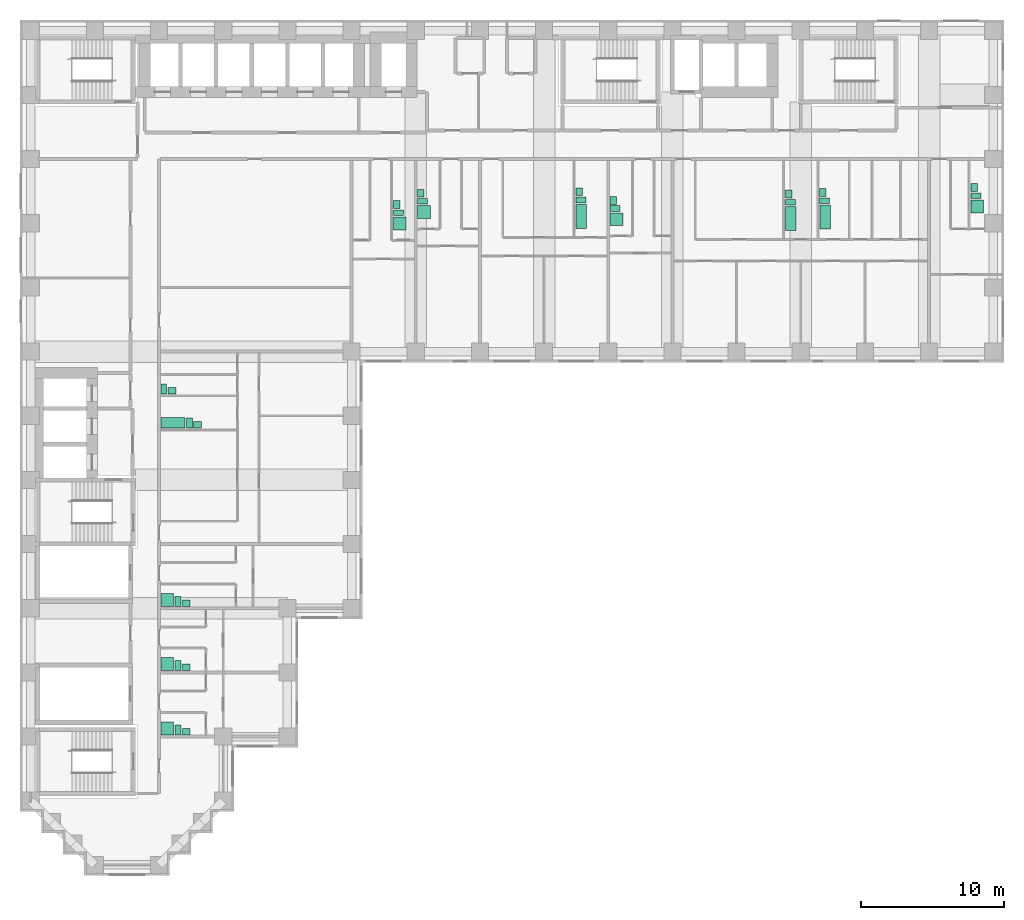
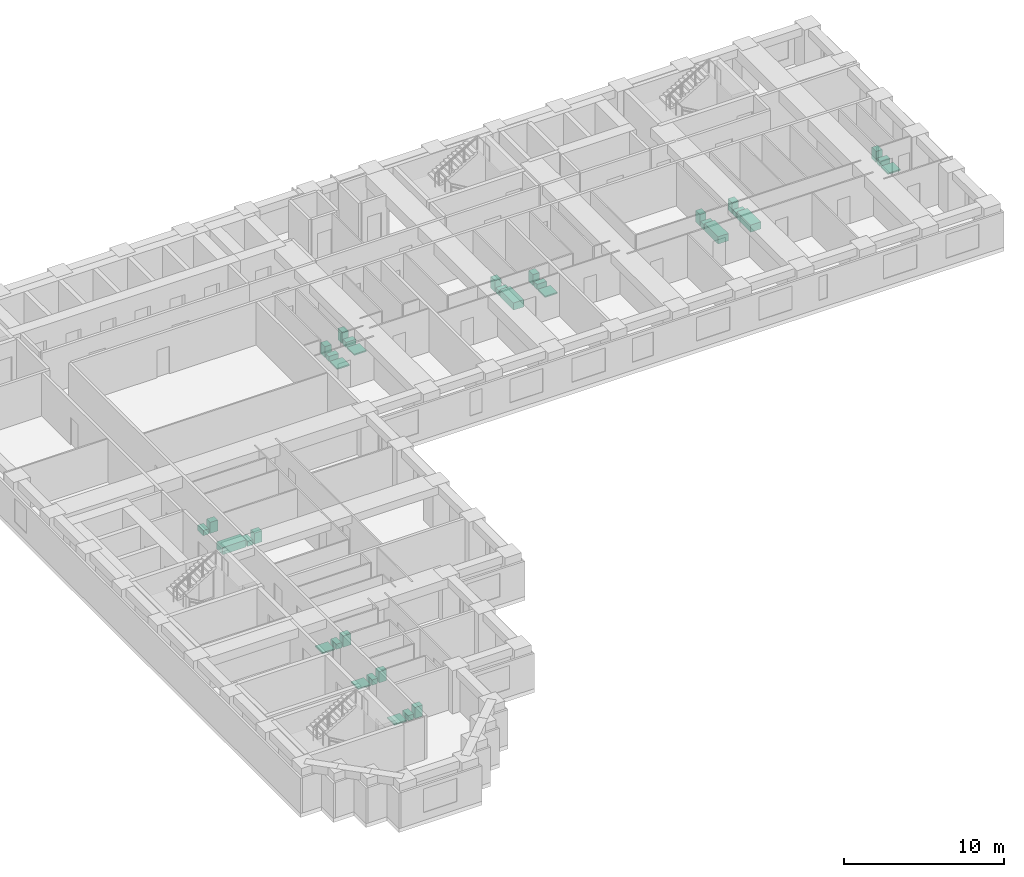
# One storey, part 12 of 12: 35 sanitary terminals.
"""IFC4 building model written with IfcOpenShell, lengths in metres."""

from ifc_helpers import new_model, si_unit, direction, frame, origin, origin_2d, place, context, subcontext, project, spatial, rectangle, extrude, material, type_object, element, save


model = new_model("IFC4")

# Units and contexts
model_context = context("Model", 3, precision=1e-05, world=origin(), true_north=direction((0.0, 1.0)))
body_context = subcontext(model_context, "Body", "Model", "MODEL_VIEW")
ifc_project = project(units=[si_unit("LENGTHUNIT", "METRE"), si_unit("AREAUNIT", "SQUARE_METRE"), si_unit("VOLUMEUNIT", "CUBIC_METRE"), si_unit("PLANEANGLEUNIT", "RADIAN"), si_unit("MASSUNIT", "GRAM", prefix="KILO")], contexts=[model_context])

# Site, building, storey
site_placement = place(None, origin())
site = spatial("IfcSite", under=ifc_project, at=site_placement, CompositionType="ELEMENT")
building_placement = place(site_placement, origin())
building = spatial("IfcBuilding", under=site, at=building_placement, Name="Firuza Court", CompositionType="ELEMENT")
storey_placement = place(building_placement, frame((0.0, 0.0, 39.800048828125)))
storey = spatial("IfcBuildingStorey", under=building, at=storey_placement, Name="L08", CompositionType="ELEMENT", Elevation=39.800048828125)

# Sanitary terminals
ifc_material_1 = material(Name="Vitreous china", Category="ceramic")
sanitary_terminal_type_1 = type_object("IfcSanitaryTerminalType", Name="Fixture Bath", PredefinedType="BATH", material=ifc_material_1)
for number, where, z_axis, x_axis, name in (
    (1, (38.60498046875, 45.47998046875, 0.0), (0.0, 0.0, 1.0), (1.0, 0.0, 0.0), "Bath"),
    (2, (53.304931640625, 45.330078125, 0.0), (0.0, 0.0, 1.0), (1.0, 0.0, 0.0), "Bath"),
    (3, (55.705078125, 45.429931640625, 0.0), (0.0, 0.0, 1.0), (1.0, 0.0, 0.0), "Bath"),
):
    element("IfcSanitaryTerminal", number, at=place(storey_placement, frame(where, z_axis=z_axis, x_axis=x_axis)), inside=storey, type_object=sanitary_terminal_type_1, Name=name, PredefinedType="BATH", context=body_context, shape_type="SweptSolid", body=[
        extrude(rectangle(XDim=0.75, YDim=1.699951171875, at=origin_2d()), origin(), (0.0, 0.0, 1.0), 0.550048828125),
    ])
sanitary_terminal_placement = place(storey_placement, frame((9.97998046875, 31.0048828125, 0.0), z_axis=(0.0, 0.0, 1.0), x_axis=(1.0, 0.0, 0.0)))
element("IfcSanitaryTerminal", 4, at=sanitary_terminal_placement, inside=storey, type_object=sanitary_terminal_type_1, Name="Bath", PredefinedType="BATH", context=body_context, shape_type="SweptSolid", body=[
    extrude(rectangle(XDim=1.699951171875, YDim=0.75, at=origin_2d()), origin(), (0.0, 0.0, 1.0), 0.550048828125),
])
ifc_material_2 = material(Name="Vitreous china", Category="ceramic")
sanitary_terminal_type_2 = type_object("IfcSanitaryTerminalType", Name="Fixture Shower tray", PredefinedType="SHOWER", material=ifc_material_2)
for number, where, z_axis, x_axis, name in (
    (5, (25.8798828125, 44.97998046875, 0.0), (0.0, 0.0, 1.0), (1.0, 0.0, 0.0), "Shower tray"),
    (6, (27.580078125, 45.780029296875, 0.0), (0.0, 0.0, 1.0), (1.0, 0.0, 0.0), "Shower tray"),
    (7, (41.080078125, 45.280029296875, 0.0), (0.0, 0.0, 1.0), (1.0, 0.0, 0.0), "Shower tray"),
    (8, (66.3798828125, 46.179931640625, 0.0), (0.0, 0.0, 1.0), (1.0, 0.0, 0.0), "Shower tray"),
    (9, (9.580078125, 18.580078125, 0.0), (0.0, 0.0, 1.0), (1.0, 0.0, 0.0), "Shower tray"),
    (10, (9.580078125, 14.080078125, 0.0), (0.0, 0.0, 1.0), (1.0, 0.0, 0.0), "Shower tray"),
    (11, (9.580078125, 9.580078125, 0.0), (0.0, 0.0, 1.0), (1.0, 0.0, 0.0), "Shower tray"),
):
    element("IfcSanitaryTerminal", number, at=place(storey_placement, frame(where, z_axis=z_axis, x_axis=x_axis)), inside=storey, type_object=sanitary_terminal_type_2, Name=name, PredefinedType="SHOWER", context=body_context, shape_type="SweptSolid", body=[
        extrude(rectangle(XDim=0.89990234375, YDim=0.89990234375, at=origin_2d()), origin(), (0.0, 0.0, 1.0), 0.10009765625),
    ])
ifc_material_3 = material(Name="Vitreous china", Category="ceramic")
sanitary_terminal_type_3 = type_object("IfcSanitaryTerminalType", Name="Fixture WC pan", PredefinedType="TOILETPAN", material=ifc_material_3)
for number, where, z_axis, x_axis, name in (
    (12, (25.780029296875, 45.72998046875, 0.0), (0.0, 0.0, 1.0), (1.0, 0.0, 0.0), "WC pan"),
    (13, (27.47998046875, 46.530029296875, 0.0), (0.0, 0.0, 1.0), (1.0, 0.0, 0.0), "WC pan"),
    (14, (38.580078125, 46.6298828125, 0.0), (0.0, 0.0, 1.0), (1.0, 0.0, 0.0), "WC pan"),
    (15, (40.97998046875, 46.030029296875, 0.0), (0.0, 0.0, 1.0), (1.0, 0.0, 0.0), "WC pan"),
    (16, (53.280029296875, 46.47998046875, 0.0), (0.0, 0.0, 1.0), (1.0, 0.0, 0.0), "WC pan"),
    (17, (55.679931640625, 46.580078125, 0.0), (0.0, 0.0, 1.0), (1.0, 0.0, 0.0), "WC pan"),
    (18, (66.280029296875, 46.929931640625, 0.0), (0.0, 0.0, 1.0), (1.0, 0.0, 0.0), "WC pan"),
):
    element("IfcSanitaryTerminal", number, at=place(storey_placement, frame(where, z_axis=z_axis, x_axis=x_axis)), inside=storey, type_object=sanitary_terminal_type_3, Name=name, PredefinedType="TOILETPAN", context=body_context, shape_type="SweptSolid", body=[
        extrude(rectangle(XDim=0.699951171875, YDim=0.39990234375, at=origin_2d()), origin(), (0.0, 0.0, 1.0), 0.39990234375),
    ])
for number, where, z_axis, x_axis, name in (
    (19, (11.1298828125, 30.97998046875, 0.0), (0.0, 0.0, 1.0), (1.0, 0.0, 0.0), "WC pan"),
    (20, (9.330078125, 33.3798828125, 0.0), (0.0, 0.0, 1.0), (1.0, 0.0, 0.0), "WC pan"),
    (21, (10.330078125, 18.47998046875, 0.0), (0.0, 0.0, 1.0), (1.0, 0.0, 0.0), "WC pan"),
    (22, (10.330078125, 13.97998046875, 0.0), (0.0, 0.0, 1.0), (1.0, 0.0, 0.0), "WC pan"),
    (23, (10.330078125, 9.47998046875, 0.0), (0.0, 0.0, 1.0), (1.0, 0.0, 0.0), "WC pan"),
):
    element("IfcSanitaryTerminal", number, at=place(storey_placement, frame(where, z_axis=z_axis, x_axis=x_axis)), inside=storey, type_object=sanitary_terminal_type_3, Name=name, PredefinedType="TOILETPAN", context=body_context, shape_type="SweptSolid", body=[
        extrude(rectangle(XDim=0.39990234375, YDim=0.699951171875, at=origin_2d()), origin(), (0.0, 0.0, 1.0), 0.39990234375),
    ])
ifc_material_4 = material(Name="Vitreous china", Category="ceramic")
sanitary_terminal_type_4 = type_object("IfcSanitaryTerminalType", Name="Fixture Washbasin", PredefinedType="WASHHANDBASIN", material=ifc_material_4)
for number, where, z_axis, x_axis, name in (
    (24, (25.655029296875, 46.304931640625, 0.0), (0.0, 0.0, 1.0), (1.0, 0.0, 0.0), "Washbasin"),
    (25, (27.35498046875, 47.10498046875, 0.0), (0.0, 0.0, 1.0), (1.0, 0.0, 0.0), "Washbasin"),
    (26, (38.455078125, 47.205078125, 0.0), (0.0, 0.0, 1.0), (1.0, 0.0, 0.0), "Washbasin"),
    (27, (40.85498046875, 46.60498046875, 0.0), (0.0, 0.0, 1.0), (1.0, 0.0, 0.0), "Washbasin"),
    (28, (53.155029296875, 47.054931640625, 0.0), (0.0, 0.0, 1.0), (1.0, 0.0, 0.0), "Washbasin"),
    (29, (55.554931640625, 47.155029296875, 0.0), (0.0, 0.0, 1.0), (1.0, 0.0, 0.0), "Washbasin"),
    (30, (66.155029296875, 47.5048828125, 0.0), (0.0, 0.0, 1.0), (1.0, 0.0, 0.0), "Washbasin"),
):
    element("IfcSanitaryTerminal", number, at=place(storey_placement, frame(where, z_axis=z_axis, x_axis=x_axis)), inside=storey, type_object=sanitary_terminal_type_4, Name=name, PredefinedType="WASHHANDBASIN", context=body_context, shape_type="SweptSolid", body=[
        extrude(rectangle(XDim=0.449951171875, YDim=0.550048828125, at=origin_2d()), origin(), (0.0, 0.0, 1.0), 0.85009765625),
    ])
for number, where, z_axis, x_axis, name in (
    (31, (11.705078125, 30.85498046875, 0.0), (0.0, 0.0, 1.0), (1.0, 0.0, 0.0), "Washbasin"),
    (32, (9.905029296875, 33.2548828125, 0.0), (0.0, 0.0, 1.0), (1.0, 0.0, 0.0), "Washbasin"),
    (33, (10.905029296875, 18.35498046875, 0.0), (0.0, 0.0, 1.0), (1.0, 0.0, 0.0), "Washbasin"),
    (34, (10.905029296875, 13.85498046875, 0.0), (0.0, 0.0, 1.0), (1.0, 0.0, 0.0), "Washbasin"),
    (35, (10.905029296875, 9.35498046875, 0.0), (0.0, 0.0, 1.0), (1.0, 0.0, 0.0), "Washbasin"),
):
    element("IfcSanitaryTerminal", number, at=place(storey_placement, frame(where, z_axis=z_axis, x_axis=x_axis)), inside=storey, type_object=sanitary_terminal_type_4, Name=name, PredefinedType="WASHHANDBASIN", context=body_context, shape_type="SweptSolid", body=[
        extrude(rectangle(XDim=0.550048828125, YDim=0.449951171875, at=origin_2d()), origin(), (0.0, 0.0, 1.0), 0.85009765625),
    ])

save(model, "model.ifc")
